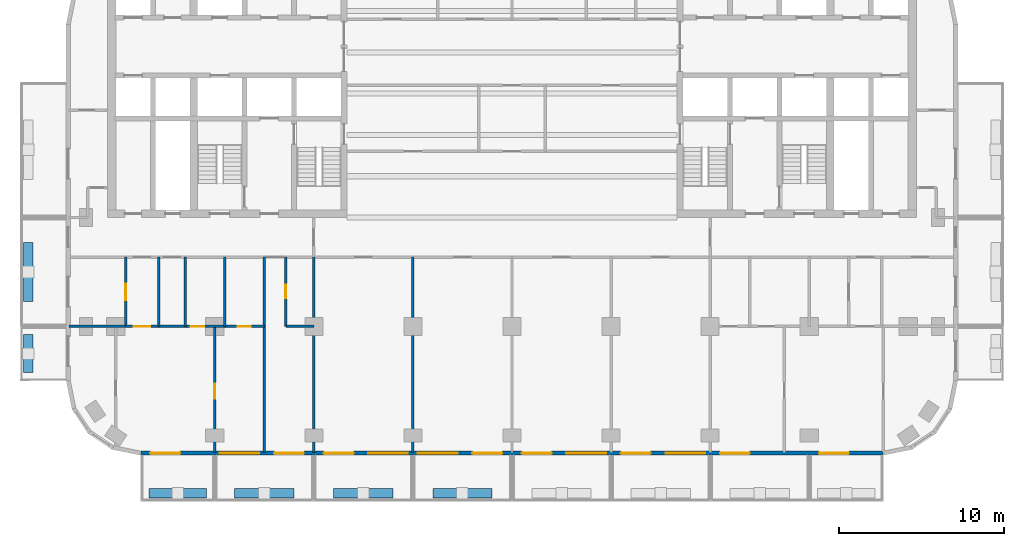
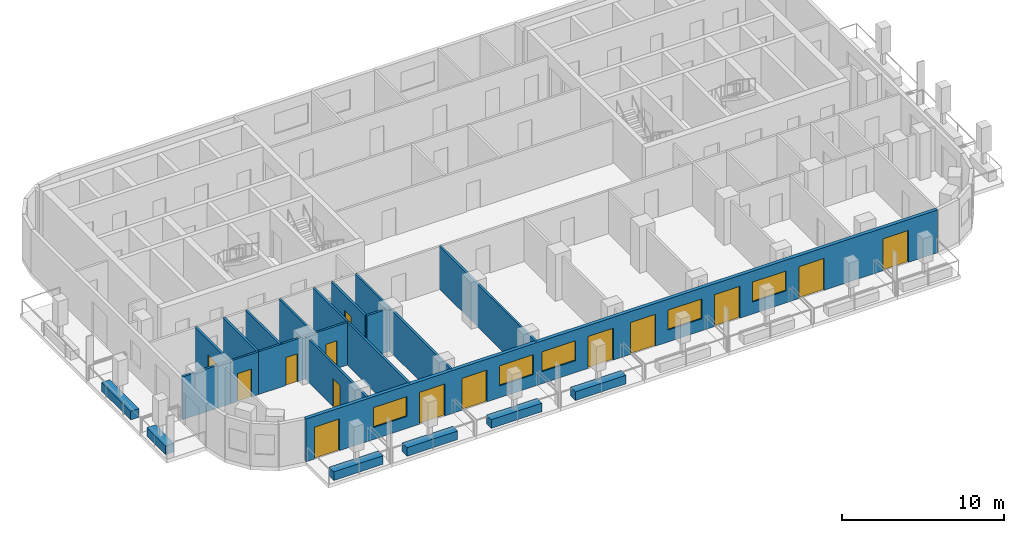
# One storey, part 2 of 11: 20 walls, 14 doors, 5 windows, 19 openings.
"""IFC4 building model written with IfcOpenShell, lengths in metres."""

import ifcopenshell
import ifcopenshell.guid

model = None  # the IFC model being written
_history = None  # IfcOwnerHistory: only IFC2X3 demands one
_inside = {}  # id of a spatial element -> (the spatial element, [elements in it])
_under = {}  # id of a project, library or spatial element -> (it, [spatial elements below it])
_declared = {}  # id of a project -> (the project, [libraries it declares])
_typed = {}  # id of a type object -> (the type object, [elements of that type])
_made_of = {}  # id of a material, layer set ... -> (it, [elements and type objects made of it])


def new_model(schema):
    """Start an empty IFC model of exactly this schema.

    Asked for "IFC4X3", IfcOpenShell would pick the latest addendum, in which some entities
    have other attributes; the version numbers below select the first issue.
    IFC2X3 requires an IfcOwnerHistory on every rooted entity: one is made here for all.
    """
    global model, _history
    if schema == "IFC4X3":
        model = ifcopenshell.file(schema_version=(4, 3, 0, 0))
    else:
        model = ifcopenshell.file(schema=schema)
    _inside.clear()
    _under.clear()
    _declared.clear()
    _typed.clear()
    _made_of.clear()
    _history = None
    if model.schema == "IFC2X3":
        org = make("IfcOrganization", Name="unknown")
        user = make(
            "IfcPersonAndOrganization",
            ThePerson=make("IfcPerson", FamilyName="unknown"),
            TheOrganization=org,
        )
        app = make(
            "IfcApplication",
            ApplicationDeveloper=org,
            Version="unknown",
            ApplicationFullName="unknown",
            ApplicationIdentifier="unknown",
        )
        _history = make(
            "IfcOwnerHistory",
            OwningUser=user,
            OwningApplication=app,
            ChangeAction="ADDED",
            CreationDate=0,
        )
    return model


def make(cls, **values):
    """One entity of the class cls with the attributes given. An attribute that is None is left unset."""
    return model.create_entity(
        cls, **{name: value for name, value in values.items() if value is not None}
    )


def rooted(cls, **values):
    """An entity with a GlobalId (a new one), such as an element, a storey or a relation."""
    return make(cls, GlobalId=ifcopenshell.guid.new(), OwnerHistory=_history, **values)


def si_unit(unit_type, name, prefix=None):
    """IfcSIUnit, for example si_unit("LENGTHUNIT", "METRE", prefix="MILLI")."""
    return make("IfcSIUnit", UnitType=unit_type, Prefix=prefix, Name=name)


def assignment(units):
    """IfcUnitAssignment: the units of a project."""
    return None if units is None else make("IfcUnitAssignment", Units=units)


def point(xyz):
    """IfcCartesianPoint."""
    return None if xyz is None else make("IfcCartesianPoint", Coordinates=xyz)


def direction(xyz):
    """IfcDirection."""
    return None if xyz is None else make("IfcDirection", DirectionRatios=xyz)


def frame(location, z_axis=None, x_axis=None):
    """IfcAxis2Placement3D, a coordinate frame: its origin and axes. An axis left out is left unset."""
    return make(
        "IfcAxis2Placement3D",
        Location=point(location),
        Axis=direction(z_axis),
        RefDirection=direction(x_axis),
    )


def frame_2d(location, x_axis=None):
    """IfcAxis2Placement2D, a coordinate frame in the plane: its origin and x axis."""
    return make(
        "IfcAxis2Placement2D", Location=point(location), RefDirection=direction(x_axis)
    )


def origin():
    """The frame at (0, 0, 0) with its axes left unset."""
    return frame((0.0, 0.0, 0.0))


def place(relative_to, where):
    """IfcLocalPlacement: puts the frame where relative to a parent placement (None: the world)."""
    return make(
        "IfcLocalPlacement", PlacementRelTo=relative_to, RelativePlacement=where
    )


def context(
    kind, dimensions, precision=None, world=None, true_north=None, identifier=None
):
    """IfcGeometricRepresentationContext, for example the 3D "Model" context."""
    return make(
        "IfcGeometricRepresentationContext",
        ContextIdentifier=identifier,
        ContextType=kind,
        CoordinateSpaceDimension=dimensions,
        Precision=precision,
        WorldCoordinateSystem=world,
        TrueNorth=true_north,
    )


def subcontext(parent, identifier, kind, view, scale=None):
    """IfcGeometricRepresentationSubContext, for example "Body" below "Model"."""
    return make(
        "IfcGeometricRepresentationSubContext",
        ContextIdentifier=identifier,
        ContextType=kind,
        ParentContext=parent,
        TargetScale=scale,
        TargetView=view,
    )


def project(units=None, contexts=None):
    """IfcProject with its units and contexts."""
    return rooted(
        "IfcProject",
        Name="project",
        RepresentationContexts=contexts,
        UnitsInContext=assignment(units),
    )


def spatial(cls, under=None, at=None, **own):
    """A site, building, storey or space (cls), placed at a placement, below another one or the project."""
    s = rooted(cls, ObjectPlacement=at, **own)
    if under is not None:
        _under.setdefault(under.id(), (under, []))[1].append(s)
    return s


def profile(cls, at=None, kind="AREA", **sizes):
    """A parametric profile (cls). Its sizes go by their IFC names, for example OverallWidth=200.0."""
    return make(cls, ProfileType=kind, Position=at, **sizes)


def rectangle(**sizes):
    """IfcRectangleProfileDef."""
    return profile("IfcRectangleProfileDef", **sizes)


def extrude(swept, where, along, depth):
    """IfcExtrudedAreaSolid: the profile swept, set in the frame where, extruded along a direction by depth."""
    return make(
        "IfcExtrudedAreaSolid",
        SweptArea=swept,
        Position=where,
        ExtrudedDirection=direction(along),
        Depth=depth,
    )


def shape(context_of_items, identifier, shape_type, items):
    """IfcShapeRepresentation: the items that make up one representation, for example the "Body"."""
    return make(
        "IfcShapeRepresentation",
        ContextOfItems=context_of_items,
        RepresentationIdentifier=identifier,
        RepresentationType=shape_type,
        Items=items,
    )


def material(Name=None, Category=None):
    """IfcMaterial."""
    return make("IfcMaterial", Name=Name, Category=Category)


def layer(
    of_material, thickness, ventilated=None, Name=None, Category=None, Priority=None
):
    """IfcMaterialLayer: one layer of a wall or slab, of a material (None: an air gap)."""
    return make(
        "IfcMaterialLayer",
        Material=of_material,
        LayerThickness=thickness,
        IsVentilated=ventilated,
        Name=Name,
        Category=Category,
        Priority=Priority,
    )


def layer_set(layers, Name=None):
    """IfcMaterialLayerSet."""
    return make("IfcMaterialLayerSet", MaterialLayers=layers, LayerSetName=Name)


def made_of(thing, what):
    """Note that an element or type object is made of a material, layer set ...; save() writes the relation."""
    if what is not None:
        _made_of.setdefault(what.id(), (what, []))[1].append(thing)
    return thing


def type_object(cls, material=None, **own):
    """A type object (cls), such as IfcWallType, which elements share."""
    return made_of(rooted(cls, **own), material)


def element(
    cls,
    number,
    at=None,
    inside=None,
    cuts=None,
    type_object=None,
    material=None,
    context=None,
    identifier="Body",
    shape_type=None,
    held_by="IfcProductDefinitionShape",
    body=None,
    shapes=None,
    **own,
):
    """One element of the class cls, such as IfcWall. Its Tag is "e" and its number.

    at: its placement. inside: the storey or other place that contains it. cuts: it is an
    opening in that element (IfcRelVoidsElement). A single representation is given by context,
    identifier, shape_type and body (its items); several are given by shapes. held_by: the class
    of the entity that holds the representations. save() writes the other relations.
    """
    e = rooted(cls, Tag="e%d" % number, ObjectPlacement=at, **own)
    if body is not None:
        shapes = [shape(context, identifier, shape_type, body)]
    if shapes is not None:
        e.Representation = make(held_by, Representations=shapes)
    if inside is not None:
        _inside.setdefault(inside.id(), (inside, []))[1].append(e)
    if cuts is not None:
        rooted(
            "IfcRelVoidsElement", RelatingBuildingElement=cuts, RelatedOpeningElement=e
        )
    if type_object is not None:
        _typed.setdefault(type_object.id(), (type_object, []))[1].append(e)
    return made_of(e, material)


def fill(opening, filler):
    """IfcRelFillsElement: the door or window that sits in an opening."""
    return rooted(
        "IfcRelFillsElement",
        RelatingOpeningElement=opening,
        RelatedBuildingElement=filler,
    )


def aggregate(whole, parts):
    """IfcRelAggregates: a whole, such as a stair, and the parts it consists of."""
    return rooted("IfcRelAggregates", RelatingObject=whole, RelatedObjects=parts)


def save(model, path):
    """Write the relations noted so far, then the file.

    IfcRelAggregates (storeys below a building ...), IfcRelContainedInSpatialStructure (elements
    in a storey), IfcRelDefinesByType, IfcRelAssociatesMaterial and IfcRelDeclares: one each for
    every whole, place, type object, material and project.
    """
    for whole, parts in _under.values():
        aggregate(whole, parts)
    for where, things in _inside.values():
        rooted(
            "IfcRelContainedInSpatialStructure",
            RelatedElements=things,
            RelatingStructure=where,
        )
    for kind, things in _typed.values():
        rooted("IfcRelDefinesByType", RelatedObjects=things, RelatingType=kind)
    for what, things in _made_of.values():
        rooted("IfcRelAssociatesMaterial", RelatedObjects=things, RelatingMaterial=what)
    for by, libraries in _declared.values():
        rooted("IfcRelDeclares", RelatingContext=by, RelatedDefinitions=libraries)
    model.write(path)


model = new_model("IFC4")

# Units and contexts
model_context = context("Model", 3, precision=1e-05, world=origin(), true_north=direction((0.0, 1.0)))
body_context = subcontext(model_context, "Body", "Model", "MODEL_VIEW")
ifc_project = project(units=[si_unit("LENGTHUNIT", "METRE"), si_unit("AREAUNIT", "SQUARE_METRE"), si_unit("VOLUMEUNIT", "CUBIC_METRE"), si_unit("PLANEANGLEUNIT", "RADIAN"), si_unit("MASSUNIT", "GRAM", prefix="KILO")], contexts=[model_context])

# Site, building, storey
site_placement = place(None, origin())
site = spatial("IfcSite", under=ifc_project, at=site_placement, CompositionType="ELEMENT")
building_placement = place(site_placement, origin())
building = spatial("IfcBuilding", under=site, at=building_placement, Name="Torana Hotel and Residences", CompositionType="ELEMENT")
storey_placement = place(building_placement, frame((0.0, 0.0, 236.10009765625)))
storey = spatial("IfcBuildingStorey", under=building, at=storey_placement, Name="L62", CompositionType="ELEMENT", Elevation=236.10009765625)

# Wall, openings, doors, windows
ifc_material_1 = material(Name="Black aluminium composite panel", Category="aluminium")
ifc_layer_1 = layer(ifc_material_1, 0.00390625, Name="Cladding", Category="cladding")
ifc_material_2 = material(Name="Ventilated air cavity")
ifc_layer_2 = layer(ifc_material_2, 0.0400390625, Name="Ventilated cavity", Category="cavity")
ifc_material_3 = material(Name="Mineral wool insulation")
ifc_layer_3 = layer(ifc_material_3, 0.090087890625, Name="Insulation", Category="insulation")
ifc_material_4 = material(Name="Steel S280GD", Category="steel")
ifc_layer_4 = layer(ifc_material_4, 0.092041015625, Name="Steel stud frame", Category="structure")
ifc_material_5 = material(Name="Fire rated plasterboard")
ifc_layer_5 = layer(ifc_material_5, 0.011962890625, Name="Inner board", Category="finish")
ifc_layer_6 = layer(ifc_material_5, 0.011962890625, Name="Second board", Category="finish")
ifc_layer_set_1 = layer_set([ifc_layer_1, ifc_layer_2, ifc_layer_3, ifc_layer_4, ifc_layer_5, ifc_layer_6], Name="EW1 EXTERNAL WALL BLACK METAL CLAD 250")
wall_type_1 = type_object("IfcWallType", Name="EW1 EXTERNAL WALL BLACK METAL CLAD 250", PredefinedType="SOLIDWALL", material=ifc_layer_set_1)
wall_1_placement = place(storey_placement, frame((-22.475341796875, -29.27490234375, 0.0), z_axis=(0.0, 0.0, 1.0), x_axis=(1.0, 0.0, 0.0)))
wall_1 = element("IfcWall", 1, at=wall_1_placement, inside=storey, type_object=wall_type_1, Name="External wall L62 e0.14", PredefinedType="SOLIDWALL", context=body_context, shape_type="SweptSolid", body=[
    extrude(rectangle(XDim=44.95068359375, YDim=0.25, at=frame_2d((22.475341796875, 0.0))), origin(), (0.0, 0.0, 1.0), 3.219970703125),
])
opening_1_placement = place(wall_1_placement, frame((0.575439453125, 0.0, 0.0)))
opening_1 = element("IfcOpeningElement", 2, at=opening_1_placement, cuts=wall_1, Name="Opening L62-E01", PredefinedType="OPENING", context=body_context, shape_type="SweptSolid", body=[
    extrude(rectangle(XDim=1.800048828125, YDim=2.39990234375, at=frame_2d((0.89990234375, 1.199951171875))), frame((0.0, 0.135009765625, 0.0), z_axis=(0.0, -1.0, 0.0), x_axis=(1.0, 0.0, 0.0)), (0.0, 0.0, 1.0), 0.27001953125),
])
opening_2_placement = place(wall_1_placement, frame((4.775390625, 0.0, 0.89990234375)))
opening_2 = element("IfcOpeningElement", 3, at=opening_2_placement, cuts=wall_1, Name="Opening W3", PredefinedType="OPENING", context=body_context, shape_type="SweptSolid", body=[
    extrude(rectangle(XDim=2.39990234375, YDim=1.5, at=frame_2d((1.199951171875, 0.75))), frame((0.0, 0.135009765625, 0.0), z_axis=(0.0, -1.0, 0.0), x_axis=(1.0, 0.0, 0.0)), (0.0, 0.0, 1.0), 0.27001953125),
])
opening_3_placement = place(wall_1_placement, frame((8.075439453125, 0.0, 0.0)))
opening_3 = element("IfcOpeningElement", 4, at=opening_3_placement, cuts=wall_1, Name="Opening L62-E02", PredefinedType="OPENING", context=body_context, shape_type="SweptSolid", body=[
    extrude(rectangle(XDim=1.800048828125, YDim=2.39990234375, at=frame_2d((0.89990234375, 1.199951171875))), frame((0.0, 0.135009765625, 0.0), z_axis=(0.0, -1.0, 0.0), x_axis=(1.0, 0.0, 0.0)), (0.0, 0.0, 1.0), 0.27001953125),
])
opening_4_placement = place(wall_1_placement, frame((11.075439453125, 0.0, 0.0)))
opening_4 = element("IfcOpeningElement", 5, at=opening_4_placement, cuts=wall_1, Name="Opening L62-E03", PredefinedType="OPENING", context=body_context, shape_type="SweptSolid", body=[
    extrude(rectangle(XDim=1.800048828125, YDim=2.39990234375, at=frame_2d((0.89990234375, 1.199951171875))), frame((0.0, 0.135009765625, 0.0), z_axis=(0.0, -1.0, 0.0), x_axis=(1.0, 0.0, 0.0)), (0.0, 0.0, 1.0), 0.27001953125),
])
opening_5_placement = place(wall_1_placement, frame((13.775390625, 0.0, 0.89990234375)))
opening_5 = element("IfcOpeningElement", 6, at=opening_5_placement, cuts=wall_1, Name="Opening W3", PredefinedType="OPENING", context=body_context, shape_type="SweptSolid", body=[
    extrude(rectangle(XDim=2.39990234375, YDim=1.5, at=frame_2d((1.199951171875, 0.75))), frame((0.0, 0.135009765625, 0.0), z_axis=(0.0, -1.0, 0.0), x_axis=(1.0, 0.0, 0.0)), (0.0, 0.0, 1.0), 0.27001953125),
])
opening_6_placement = place(wall_1_placement, frame((16.775390625, 0.0, 0.89990234375)))
opening_6 = element("IfcOpeningElement", 7, at=opening_6_placement, cuts=wall_1, Name="Opening W3", PredefinedType="OPENING", context=body_context, shape_type="SweptSolid", body=[
    extrude(rectangle(XDim=2.39990234375, YDim=1.5, at=frame_2d((1.199951171875, 0.75))), frame((0.0, 0.135009765625, 0.0), z_axis=(0.0, -1.0, 0.0), x_axis=(1.0, 0.0, 0.0)), (0.0, 0.0, 1.0), 0.27001953125),
])
opening_7_placement = place(wall_1_placement, frame((20.075439453125, 0.0, 0.0)))
opening_7 = element("IfcOpeningElement", 8, at=opening_7_placement, cuts=wall_1, Name="Opening L62-E04", PredefinedType="OPENING", context=body_context, shape_type="SweptSolid", body=[
    extrude(rectangle(XDim=1.800048828125, YDim=2.39990234375, at=frame_2d((0.89990234375, 1.199951171875))), frame((0.0, 0.135009765625, 0.0), z_axis=(0.0, -1.0, 0.0), x_axis=(1.0, 0.0, 0.0)), (0.0, 0.0, 1.0), 0.27001953125),
])
opening_8_placement = place(wall_1_placement, frame((23.075439453125, 0.0, 0.0)))
opening_8 = element("IfcOpeningElement", 9, at=opening_8_placement, cuts=wall_1, Name="Opening L62-E05", PredefinedType="OPENING", context=body_context, shape_type="SweptSolid", body=[
    extrude(rectangle(XDim=1.800048828125, YDim=2.39990234375, at=frame_2d((0.89990234375, 1.199951171875))), frame((0.0, 0.135009765625, 0.0), z_axis=(0.0, -1.0, 0.0), x_axis=(1.0, 0.0, 0.0)), (0.0, 0.0, 1.0), 0.27001953125),
])
opening_9_placement = place(wall_1_placement, frame((25.775390625, 0.0, 0.89990234375)))
opening_9 = element("IfcOpeningElement", 10, at=opening_9_placement, cuts=wall_1, Name="Opening W3", PredefinedType="OPENING", context=body_context, shape_type="SweptSolid", body=[
    extrude(rectangle(XDim=2.39990234375, YDim=1.5, at=frame_2d((1.199951171875, 0.75))), frame((0.0, 0.135009765625, 0.0), z_axis=(0.0, -1.0, 0.0), x_axis=(1.0, 0.0, 0.0)), (0.0, 0.0, 1.0), 0.27001953125),
])
opening_10_placement = place(wall_1_placement, frame((29.075439453125, 0.0, 0.0)))
opening_10 = element("IfcOpeningElement", 11, at=opening_10_placement, cuts=wall_1, Name="Opening L62-E06", PredefinedType="OPENING", context=body_context, shape_type="SweptSolid", body=[
    extrude(rectangle(XDim=1.800048828125, YDim=2.39990234375, at=frame_2d((0.89990234375, 1.199951171875))), frame((0.0, 0.135009765625, 0.0), z_axis=(0.0, -1.0, 0.0), x_axis=(1.0, 0.0, 0.0)), (0.0, 0.0, 1.0), 0.27001953125),
])
opening_11_placement = place(wall_1_placement, frame((31.775390625, 0.0, 0.89990234375)))
opening_11 = element("IfcOpeningElement", 12, at=opening_11_placement, cuts=wall_1, Name="Opening W3", PredefinedType="OPENING", context=body_context, shape_type="SweptSolid", body=[
    extrude(rectangle(XDim=2.39990234375, YDim=1.5, at=frame_2d((1.199951171875, 0.75))), frame((0.0, 0.135009765625, 0.0), z_axis=(0.0, -1.0, 0.0), x_axis=(1.0, 0.0, 0.0)), (0.0, 0.0, 1.0), 0.27001953125),
])
opening_12_placement = place(wall_1_placement, frame((35.075439453125, 0.0, 0.0)))
opening_12 = element("IfcOpeningElement", 13, at=opening_12_placement, cuts=wall_1, Name="Opening L62-E07", PredefinedType="OPENING", context=body_context, shape_type="SweptSolid", body=[
    extrude(rectangle(XDim=1.800048828125, YDim=2.39990234375, at=frame_2d((0.89990234375, 1.199951171875))), frame((0.0, 0.135009765625, 0.0), z_axis=(0.0, -1.0, 0.0), x_axis=(1.0, 0.0, 0.0)), (0.0, 0.0, 1.0), 0.27001953125),
])
opening_13_placement = place(wall_1_placement, frame((41.075439453125, 0.0, 0.0)))
opening_13 = element("IfcOpeningElement", 14, at=opening_13_placement, cuts=wall_1, Name="Opening L62-E08", PredefinedType="OPENING", context=body_context, shape_type="SweptSolid", body=[
    extrude(rectangle(XDim=1.800048828125, YDim=2.39990234375, at=frame_2d((0.89990234375, 1.199951171875))), frame((0.0, 0.135009765625, 0.0), z_axis=(0.0, -1.0, 0.0), x_axis=(1.0, 0.0, 0.0)), (0.0, 0.0, 1.0), 0.27001953125),
])
ifc_material_6 = material(Name="Dark glass in black aluminium frame", Category="aluminium")
door_type_1 = type_object("IfcDoorType", Name="DB1 BALCONY DOOR 1800x2400", OperationType="DOUBLE_DOOR_SINGLE_SWING", PredefinedType="DOOR", material=ifc_material_6)
door_1_placement = place(opening_1_placement, origin())
door_1 = element("IfcDoor", 15, at=door_1_placement, inside=storey, type_object=door_type_1, Name="Balcony door L62", OperationType="DOUBLE_DOOR_SINGLE_SWING", OverallHeight=2.39990234375, OverallWidth=1.800048828125, PredefinedType="DOOR", context=body_context, shape_type="SweptSolid", body=[
    extrude(rectangle(XDim=1.800048828125, YDim=2.39990234375, at=frame_2d((0.89990234375, 1.199951171875))), frame((0.0, 0.02490234375, 0.0), z_axis=(0.0, -1.0, 0.0), x_axis=(1.0, 0.0, 0.0)), (0.0, 0.0, 1.0), 0.050048828125),
])
fill(opening_1, door_1)
door_2_placement = place(opening_3_placement, origin())
door_2 = element("IfcDoor", 16, at=door_2_placement, inside=storey, type_object=door_type_1, Name="Balcony door L62", OperationType="DOUBLE_DOOR_SINGLE_SWING", OverallHeight=2.39990234375, OverallWidth=1.800048828125, PredefinedType="DOOR", context=body_context, shape_type="SweptSolid", body=[
    extrude(rectangle(XDim=1.800048828125, YDim=2.39990234375, at=frame_2d((0.89990234375, 1.199951171875))), frame((0.0, 0.02490234375, 0.0), z_axis=(0.0, -1.0, 0.0), x_axis=(1.0, 0.0, 0.0)), (0.0, 0.0, 1.0), 0.050048828125),
])
fill(opening_3, door_2)
door_3_placement = place(opening_4_placement, origin())
door_3 = element("IfcDoor", 17, at=door_3_placement, inside=storey, type_object=door_type_1, Name="Balcony door L62", OperationType="DOUBLE_DOOR_SINGLE_SWING", OverallHeight=2.39990234375, OverallWidth=1.800048828125, PredefinedType="DOOR", context=body_context, shape_type="SweptSolid", body=[
    extrude(rectangle(XDim=1.800048828125, YDim=2.39990234375, at=frame_2d((0.89990234375, 1.199951171875))), frame((0.0, 0.02490234375, 0.0), z_axis=(0.0, -1.0, 0.0), x_axis=(1.0, 0.0, 0.0)), (0.0, 0.0, 1.0), 0.050048828125),
])
fill(opening_4, door_3)
door_4_placement = place(opening_7_placement, origin())
door_4 = element("IfcDoor", 18, at=door_4_placement, inside=storey, type_object=door_type_1, Name="Balcony door L62", OperationType="DOUBLE_DOOR_SINGLE_SWING", OverallHeight=2.39990234375, OverallWidth=1.800048828125, PredefinedType="DOOR", context=body_context, shape_type="SweptSolid", body=[
    extrude(rectangle(XDim=1.800048828125, YDim=2.39990234375, at=frame_2d((0.89990234375, 1.199951171875))), frame((0.0, 0.02490234375, 0.0), z_axis=(0.0, -1.0, 0.0), x_axis=(1.0, 0.0, 0.0)), (0.0, 0.0, 1.0), 0.050048828125),
])
fill(opening_7, door_4)
door_5_placement = place(opening_8_placement, origin())
door_5 = element("IfcDoor", 19, at=door_5_placement, inside=storey, type_object=door_type_1, Name="Balcony door L62", OperationType="DOUBLE_DOOR_SINGLE_SWING", OverallHeight=2.39990234375, OverallWidth=1.800048828125, PredefinedType="DOOR", context=body_context, shape_type="SweptSolid", body=[
    extrude(rectangle(XDim=1.800048828125, YDim=2.39990234375, at=frame_2d((0.89990234375, 1.199951171875))), frame((0.0, 0.02490234375, 0.0), z_axis=(0.0, -1.0, 0.0), x_axis=(1.0, 0.0, 0.0)), (0.0, 0.0, 1.0), 0.050048828125),
])
fill(opening_8, door_5)
door_6_placement = place(opening_10_placement, origin())
door_6 = element("IfcDoor", 20, at=door_6_placement, inside=storey, type_object=door_type_1, Name="Balcony door L62", OperationType="DOUBLE_DOOR_SINGLE_SWING", OverallHeight=2.39990234375, OverallWidth=1.800048828125, PredefinedType="DOOR", context=body_context, shape_type="SweptSolid", body=[
    extrude(rectangle(XDim=1.800048828125, YDim=2.39990234375, at=frame_2d((0.89990234375, 1.199951171875))), frame((0.0, 0.02490234375, 0.0), z_axis=(0.0, -1.0, 0.0), x_axis=(1.0, 0.0, 0.0)), (0.0, 0.0, 1.0), 0.050048828125),
])
fill(opening_10, door_6)
door_7_placement = place(opening_12_placement, origin())
door_7 = element("IfcDoor", 21, at=door_7_placement, inside=storey, type_object=door_type_1, Name="Balcony door L62", OperationType="DOUBLE_DOOR_SINGLE_SWING", OverallHeight=2.39990234375, OverallWidth=1.800048828125, PredefinedType="DOOR", context=body_context, shape_type="SweptSolid", body=[
    extrude(rectangle(XDim=1.800048828125, YDim=2.39990234375, at=frame_2d((0.89990234375, 1.199951171875))), frame((0.0, 0.02490234375, 0.0), z_axis=(0.0, -1.0, 0.0), x_axis=(1.0, 0.0, 0.0)), (0.0, 0.0, 1.0), 0.050048828125),
])
fill(opening_12, door_7)
door_8_placement = place(opening_13_placement, origin())
door_8 = element("IfcDoor", 22, at=door_8_placement, inside=storey, type_object=door_type_1, Name="Balcony door L62", OperationType="DOUBLE_DOOR_SINGLE_SWING", OverallHeight=2.39990234375, OverallWidth=1.800048828125, PredefinedType="DOOR", context=body_context, shape_type="SweptSolid", body=[
    extrude(rectangle(XDim=1.800048828125, YDim=2.39990234375, at=frame_2d((0.89990234375, 1.199951171875))), frame((0.0, 0.02490234375, 0.0), z_axis=(0.0, -1.0, 0.0), x_axis=(1.0, 0.0, 0.0)), (0.0, 0.0, 1.0), 0.050048828125),
])
fill(opening_13, door_8)
ifc_material_7 = material(Name="Dark glass in black aluminium frame", Category="aluminium")
window_type = type_object("IfcWindowType", Name="W3 RESIDENCE WINDOW 2400x1500", PartitioningType="SINGLE_PANEL", PredefinedType="WINDOW", material=ifc_material_7)
window_1_placement = place(opening_2_placement, origin())
window_1 = element("IfcWindow", 23, at=window_1_placement, inside=storey, type_object=window_type, Name="Window L62", OverallHeight=1.5, OverallWidth=2.39990234375, PartitioningType="SINGLE_PANEL", PredefinedType="WINDOW", context=body_context, shape_type="SweptSolid", body=[
    extrude(rectangle(XDim=2.39990234375, YDim=1.5, at=frame_2d((1.199951171875, 0.75))), frame((0.0, 0.030029296875, 0.0), z_axis=(0.0, -1.0, 0.0), x_axis=(1.0, 0.0, 0.0)), (0.0, 0.0, 1.0), 0.06005859375),
])
fill(opening_2, window_1)
window_2_placement = place(opening_5_placement, origin())
window_2 = element("IfcWindow", 24, at=window_2_placement, inside=storey, type_object=window_type, Name="Window L62", OverallHeight=1.5, OverallWidth=2.39990234375, PartitioningType="SINGLE_PANEL", PredefinedType="WINDOW", context=body_context, shape_type="SweptSolid", body=[
    extrude(rectangle(XDim=2.39990234375, YDim=1.5, at=frame_2d((1.199951171875, 0.75))), frame((0.0, 0.030029296875, 0.0), z_axis=(0.0, -1.0, 0.0), x_axis=(1.0, 0.0, 0.0)), (0.0, 0.0, 1.0), 0.06005859375),
])
fill(opening_5, window_2)
window_3_placement = place(opening_6_placement, origin())
window_3 = element("IfcWindow", 25, at=window_3_placement, inside=storey, type_object=window_type, Name="Window L62", OverallHeight=1.5, OverallWidth=2.39990234375, PartitioningType="SINGLE_PANEL", PredefinedType="WINDOW", context=body_context, shape_type="SweptSolid", body=[
    extrude(rectangle(XDim=2.39990234375, YDim=1.5, at=frame_2d((1.199951171875, 0.75))), frame((0.0, 0.030029296875, 0.0), z_axis=(0.0, -1.0, 0.0), x_axis=(1.0, 0.0, 0.0)), (0.0, 0.0, 1.0), 0.06005859375),
])
fill(opening_6, window_3)
window_4_placement = place(opening_9_placement, origin())
window_4 = element("IfcWindow", 26, at=window_4_placement, inside=storey, type_object=window_type, Name="Window L62", OverallHeight=1.5, OverallWidth=2.39990234375, PartitioningType="SINGLE_PANEL", PredefinedType="WINDOW", context=body_context, shape_type="SweptSolid", body=[
    extrude(rectangle(XDim=2.39990234375, YDim=1.5, at=frame_2d((1.199951171875, 0.75))), frame((0.0, 0.030029296875, 0.0), z_axis=(0.0, -1.0, 0.0), x_axis=(1.0, 0.0, 0.0)), (0.0, 0.0, 1.0), 0.06005859375),
])
fill(opening_9, window_4)
window_5_placement = place(opening_11_placement, origin())
window_5 = element("IfcWindow", 27, at=window_5_placement, inside=storey, type_object=window_type, Name="Window L62", OverallHeight=1.5, OverallWidth=2.39990234375, PartitioningType="SINGLE_PANEL", PredefinedType="WINDOW", context=body_context, shape_type="SweptSolid", body=[
    extrude(rectangle(XDim=2.39990234375, YDim=1.5, at=frame_2d((1.199951171875, 0.75))), frame((0.0, 0.030029296875, 0.0), z_axis=(0.0, -1.0, 0.0), x_axis=(1.0, 0.0, 0.0)), (0.0, 0.0, 1.0), 0.06005859375),
])
fill(opening_11, window_5)

# Wall
ifc_material_8 = material(Name="Gypsum plaster")
ifc_layer_7 = layer(ifc_material_8, 0.014892578125, Name="Plaster", Category="finish")
ifc_material_9 = material(Name="Concrete blockwork", Category="masonry")
ifc_layer_8 = layer(ifc_material_9, 0.1201171875, Name="Blockwork", Category="structure")
ifc_layer_9 = layer(ifc_material_8, 0.014892578125, Name="Plaster", Category="finish")
ifc_layer_set_2 = layer_set([ifc_layer_7, ifc_layer_8, ifc_layer_9], Name="FIRE PARTITION 150 BLOCKWORK")
wall_type_2 = type_object("IfcWallType", Name="FIRE PARTITION 150 BLOCKWORK", PredefinedType="PARTITIONING", material=ifc_layer_set_2)
wall_2_placement = place(storey_placement, frame((-21.39990234375, -21.60009765625, 0.0), z_axis=(0.0, 0.0, 1.0), x_axis=(0.0, 1.0, 0.0)))
element("IfcWall", 28, at=wall_2_placement, inside=storey, type_object=wall_type_2, Name="Partition L62", PredefinedType="PARTITIONING", context=body_context, shape_type="SweptSolid", body=[
    extrude(rectangle(XDim=4.2001953125, YDim=0.14990234375, at=frame_2d((2.10009765625, 0.0))), origin(), (0.0, 0.0, 1.0), 3.219970703125),
])

# Wall, opening, door
wall_3_placement = place(storey_placement, frame((-23.39990234375, -21.60009765625, 0.0), z_axis=(0.0, 0.0, 1.0), x_axis=(0.0, 1.0, 0.0)))
wall_3 = element("IfcWall", 29, at=wall_3_placement, inside=storey, type_object=wall_type_2, Name="Partition L62", PredefinedType="PARTITIONING", context=body_context, shape_type="SweptSolid", body=[
    extrude(rectangle(XDim=4.2001953125, YDim=0.14990234375, at=frame_2d((2.10009765625, 0.0))), origin(), (0.0, 0.0, 1.0), 3.219970703125),
])
opening_14_placement = place(wall_3_placement, frame((1.580078125, 0.0, 0.0)))
opening_14 = element("IfcOpeningElement", 30, at=opening_14_placement, cuts=wall_3, Name="Opening L62-52", PredefinedType="OPENING", context=body_context, shape_type="SweptSolid", body=[
    extrude(rectangle(XDim=1.0, YDim=2.10009765625, at=frame_2d((0.5, 1.050048828125))), frame((0.0, 0.0849609375, 0.0), z_axis=(0.0, -1.0, 0.0), x_axis=(1.0, 0.0, 0.0)), (0.0, 0.0, 1.0), 0.169921875),
])
ifc_material_10 = material(Name="Steel S235", Category="steel")
door_type_2 = type_object("IfcDoorType", Name="ENTRY FIRE DOOR D6 1000x2100", OperationType="SINGLE_SWING_LEFT", PredefinedType="DOOR", material=ifc_material_10)
door_9_placement = place(opening_14_placement, origin())
door_9 = element("IfcDoor", 31, at=door_9_placement, inside=storey, type_object=door_type_2, Name="Door L62", OperationType="SINGLE_SWING_RIGHT", OverallHeight=2.10009765625, OverallWidth=1.0, PredefinedType="DOOR", context=body_context, shape_type="SweptSolid", body=[
    extrude(rectangle(XDim=1.0, YDim=2.10009765625, at=frame_2d((0.5, 1.050048828125))), frame((0.0, 0.02490234375, 0.0), z_axis=(0.0, -1.0, 0.0), x_axis=(1.0, 0.0, 0.0)), (0.0, 0.0, 1.0), 0.050048828125),
])
fill(opening_14, door_9)

wall_4_placement = place(storey_placement, frame((-23.39990234375, -21.60009765625, 0.0), z_axis=(0.0, 0.0, 1.0), x_axis=(1.0, 0.0, 0.0)))
wall_4 = element("IfcWall", 32, at=wall_4_placement, inside=storey, type_object=wall_type_2, Name="Partition L62", PredefinedType="PARTITIONING", context=body_context, shape_type="SweptSolid", body=[
    extrude(rectangle(XDim=2.0, YDim=0.14990234375, at=frame_2d((1.0, 0.0))), origin(), (0.0, 0.0, 1.0), 3.219970703125),
])
opening_15_placement = place(wall_4_placement, frame((0.47998046875, 0.0, 0.0)))
opening_15 = element("IfcOpeningElement", 33, at=opening_15_placement, cuts=wall_4, Name="Opening L62-53", PredefinedType="OPENING", context=body_context, shape_type="SweptSolid", body=[
    extrude(rectangle(XDim=1.0, YDim=2.10009765625, at=frame_2d((0.5, 1.050048828125))), frame((0.0, 0.0849609375, 0.0), z_axis=(0.0, -1.0, 0.0), x_axis=(1.0, 0.0, 0.0)), (0.0, 0.0, 1.0), 0.169921875),
])
door_10_placement = place(opening_15_placement, frame((0.5, 0.0, 0.0), z_axis=(0.0, 0.0, 1.0), x_axis=(-1.0, 0.0, 0.0)))
door_10 = element("IfcDoor", 34, at=door_10_placement, inside=storey, type_object=door_type_2, Name="Door L62", OperationType="SINGLE_SWING_LEFT", OverallHeight=2.10009765625, OverallWidth=1.0, PredefinedType="DOOR", context=body_context, shape_type="SweptSolid", body=[
    extrude(rectangle(XDim=1.0, YDim=2.10009765625, at=frame_2d((0.0, 1.050048828125))), frame((0.0, -0.02490234375, 0.0), z_axis=(0.0, 1.0, 0.0), x_axis=(-1.0, 0.0, 0.0)), (0.0, 0.0, 1.0), 0.050048828125),
])
fill(opening_15, door_10)

# Walls
ifc_material_11 = material(Name="Gypsum plasterboard")
ifc_layer_10 = layer(ifc_material_11, 0.012451171875, Name="Plasterboard", Category="finish")
ifc_layer_11 = layer(ifc_material_11, 0.012451171875, Name="Plasterboard", Category="finish")
ifc_layer_12 = layer(ifc_material_4, 0.10009765625, Name="Steel studs with mineral wool", Category="insulation")
ifc_layer_13 = layer(ifc_material_11, 0.012451171875, Name="Plasterboard", Category="finish")
ifc_layer_14 = layer(ifc_material_11, 0.012451171875, Name="Plasterboard", Category="finish")
ifc_layer_set_3 = layer_set([ifc_layer_10, ifc_layer_11, ifc_layer_12, ifc_layer_13, ifc_layer_14], Name="PARTITION 150 PLASTERBOARD")
wall_type_3 = type_object("IfcWallType", Name="PARTITION 150 PLASTERBOARD", PredefinedType="PARTITIONING", material=ifc_layer_set_3)
for number, where, z_axis, x_axis, name in (
    (35, (-6.0, -29.219970703125, 0.0), (0.0, 0.0, 1.0), (0.0, 1.0, 0.0), "Partition L62"),
    (36, (-12.0, -29.219970703125, 0.0), (0.0, 0.0, 1.0), (0.0, 1.0, 0.0), "Partition L62"),
):
    element("IfcWall", number, at=place(storey_placement, frame(where, z_axis=z_axis, x_axis=x_axis)), inside=storey, type_object=wall_type_3, Name=name, PredefinedType="PARTITIONING", context=body_context, shape_type="SweptSolid", body=[
        extrude(rectangle(XDim=11.820068359375, YDim=0.14990234375, at=frame_2d((5.91015625, 0.0))), origin(), (0.0, 0.0, 1.0), 3.219970703125),
    ])

# Wall, opening, door
wall_5_placement = place(storey_placement, frame((-13.699951171875, -21.60009765625, 0.0), z_axis=(0.0, 0.0, 1.0), x_axis=(0.0, 1.0, 0.0)))
wall_5 = element("IfcWall", 37, at=wall_5_placement, inside=storey, type_object=wall_type_3, Name="Partition L62", PredefinedType="PARTITIONING", context=body_context, shape_type="SweptSolid", body=[
    extrude(rectangle(XDim=4.2001953125, YDim=0.14990234375, at=frame_2d((2.10009765625, 0.0))), origin(), (0.0, 0.0, 1.0), 3.219970703125),
])
opening_16_placement = place(wall_5_placement, frame((1.719970703125, 0.0, 0.0)))
opening_16 = element("IfcOpeningElement", 38, at=opening_16_placement, cuts=wall_5, Name="Opening L62-49", PredefinedType="OPENING", context=body_context, shape_type="SweptSolid", body=[
    extrude(rectangle(XDim=0.800048828125, YDim=2.10009765625, at=frame_2d((0.39990234375, 1.050048828125))), frame((0.0, 0.0849609375, 0.0), z_axis=(0.0, -1.0, 0.0), x_axis=(1.0, 0.0, 0.0)), (0.0, 0.0, 1.0), 0.169921875),
])
ifc_material_12 = material(Name="Timber door, painted", Category="wood")
door_type_3 = type_object("IfcDoorType", Name="BATH DOOR D13 800x2100", OperationType="SINGLE_SWING_LEFT", PredefinedType="DOOR", material=ifc_material_12)
door_11_placement = place(opening_16_placement, origin())
door_11 = element("IfcDoor", 39, at=door_11_placement, inside=storey, type_object=door_type_3, Name="Door L62", OperationType="SINGLE_SWING_RIGHT", OverallHeight=2.10009765625, OverallWidth=0.800048828125, PredefinedType="DOOR", context=body_context, shape_type="SweptSolid", body=[
    extrude(rectangle(XDim=0.800048828125, YDim=2.10009765625, at=frame_2d((0.39990234375, 1.050048828125))), frame((0.0, 0.02490234375, 0.0), z_axis=(0.0, -1.0, 0.0), x_axis=(1.0, 0.0, 0.0)), (0.0, 0.0, 1.0), 0.050048828125),
])
fill(opening_16, door_11)

# Walls
wall_6_placement = place(storey_placement, frame((-15.0, -29.219970703125, 0.0), z_axis=(0.0, 0.0, 1.0), x_axis=(0.0, 1.0, 0.0)))
element("IfcWall", 40, at=wall_6_placement, inside=storey, type_object=wall_type_3, Name="Partition L62", PredefinedType="PARTITIONING", context=body_context, shape_type="SweptSolid", body=[
    extrude(rectangle(XDim=11.820068359375, YDim=0.14990234375, at=frame_2d((5.91015625, 0.0))), origin(), (0.0, 0.0, 1.0), 3.219970703125),
])
wall_7_placement = place(storey_placement, frame((-17.39990234375, -21.60009765625, 0.0), z_axis=(0.0, 0.0, 1.0), x_axis=(0.0, 1.0, 0.0)))
element("IfcWall", 41, at=wall_7_placement, inside=storey, type_object=wall_type_3, Name="Partition L62", PredefinedType="PARTITIONING", context=body_context, shape_type="SweptSolid", body=[
    extrude(rectangle(XDim=4.2001953125, YDim=0.14990234375, at=frame_2d((2.10009765625, 0.0))), origin(), (0.0, 0.0, 1.0), 3.219970703125),
])

# Wall, opening, door
wall_8_placement = place(storey_placement, frame((-18.0, -29.219970703125, 0.0), z_axis=(0.0, 0.0, 1.0), x_axis=(0.0, 1.0, 0.0)))
wall_8 = element("IfcWall", 42, at=wall_8_placement, inside=storey, type_object=wall_type_3, Name="Partition L62", PredefinedType="PARTITIONING", context=body_context, shape_type="SweptSolid", body=[
    extrude(rectangle(XDim=7.619873046875, YDim=0.14990234375, at=frame_2d((3.81005859375, 0.0))), origin(), (0.0, 0.0, 1.0), 3.219970703125),
])
opening_17_placement = place(wall_8_placement, frame((3.25, 0.0, 0.0)))
opening_17 = element("IfcOpeningElement", 43, at=opening_17_placement, cuts=wall_8, Name="Opening L62-54", PredefinedType="OPENING", context=body_context, shape_type="SweptSolid", body=[
    extrude(rectangle(XDim=0.89990234375, YDim=2.10009765625, at=frame_2d((0.449951171875, 1.050048828125))), frame((0.0, 0.0849609375, 0.0), z_axis=(0.0, -1.0, 0.0), x_axis=(1.0, 0.0, 0.0)), (0.0, 0.0, 1.0), 0.169921875),
])
ifc_material_13 = material(Name="Timber door, oiled ash", Category="wood")
door_type_4 = type_object("IfcDoorType", Name="ROOM DOOR D7 900x2100", OperationType="SINGLE_SWING_LEFT", PredefinedType="DOOR", material=ifc_material_13)
door_12_placement = place(opening_17_placement, origin())
door_12 = element("IfcDoor", 44, at=door_12_placement, inside=storey, type_object=door_type_4, Name="Door L62", OperationType="SINGLE_SWING_RIGHT", OverallHeight=2.10009765625, OverallWidth=0.89990234375, PredefinedType="DOOR", context=body_context, shape_type="SweptSolid", body=[
    extrude(rectangle(XDim=0.89990234375, YDim=2.10009765625, at=frame_2d((0.449951171875, 1.050048828125))), frame((0.0, 0.02490234375, 0.0), z_axis=(0.0, -1.0, 0.0), x_axis=(1.0, 0.0, 0.0)), (0.0, 0.0, 1.0), 0.050048828125),
])
fill(opening_17, door_12)

# Walls
wall_9_placement = place(storey_placement, frame((-19.800048828125, -21.60009765625, 0.0), z_axis=(0.0, 0.0, 1.0), x_axis=(0.0, 1.0, 0.0)))
element("IfcWall", 45, at=wall_9_placement, inside=storey, type_object=wall_type_3, Name="Partition L62", PredefinedType="PARTITIONING", context=body_context, shape_type="SweptSolid", body=[
    extrude(rectangle(XDim=4.2001953125, YDim=0.14990234375, at=frame_2d((2.10009765625, 0.0))), origin(), (0.0, 0.0, 1.0), 3.219970703125),
])
wall_10_placement = place(storey_placement, frame((-26.820068359375, -21.60009765625, 0.0), z_axis=(0.0, 0.0, 1.0), x_axis=(1.0, 0.0, 0.0)))
element("IfcWall", 46, at=wall_10_placement, inside=storey, type_object=wall_type_3, Name="Partition L62", PredefinedType="PARTITIONING", context=body_context, shape_type="SweptSolid", body=[
    extrude(rectangle(XDim=3.420166015625, YDim=0.14990234375, at=frame_2d((1.7099609375, 0.0))), origin(), (0.0, 0.0, 1.0), 3.219970703125),
])

# Wall, openings, doors
wall_11_placement = place(storey_placement, frame((-21.39990234375, -21.60009765625, 0.0), z_axis=(0.0, 0.0, 1.0), x_axis=(1.0, 0.0, 0.0)))
wall_11 = element("IfcWall", 47, at=wall_11_placement, inside=storey, type_object=wall_type_3, Name="Partition L62", PredefinedType="PARTITIONING", context=body_context, shape_type="SweptSolid", body=[
    extrude(rectangle(XDim=6.39990234375, YDim=0.14990234375, at=frame_2d((3.199951171875, 0.0))), origin(), (0.0, 0.0, 1.0), 3.219970703125),
])
opening_18_placement = place(wall_11_placement, frame((4.780029296875, 0.0, 0.0)))
opening_18 = element("IfcOpeningElement", 48, at=opening_18_placement, cuts=wall_11, Name="Opening L62-50", PredefinedType="OPENING", context=body_context, shape_type="SweptSolid", body=[
    extrude(rectangle(XDim=0.800048828125, YDim=2.10009765625, at=frame_2d((0.39990234375, 1.050048828125))), frame((0.0, 0.0849609375, 0.0), z_axis=(0.0, -1.0, 0.0), x_axis=(1.0, 0.0, 0.0)), (0.0, 0.0, 1.0), 0.169921875),
])
opening_19_placement = place(wall_11_placement, frame((1.949951171875, 0.0, 0.0)))
opening_19 = element("IfcOpeningElement", 49, at=opening_19_placement, cuts=wall_11, Name="Opening L62-51", PredefinedType="OPENING", context=body_context, shape_type="SweptSolid", body=[
    extrude(rectangle(XDim=0.800048828125, YDim=2.10009765625, at=frame_2d((0.39990234375, 1.050048828125))), frame((0.0, 0.0849609375, 0.0), z_axis=(0.0, -1.0, 0.0), x_axis=(1.0, 0.0, 0.0)), (0.0, 0.0, 1.0), 0.169921875),
])
door_13_placement = place(opening_18_placement, origin())
door_13 = element("IfcDoor", 50, at=door_13_placement, inside=storey, type_object=door_type_3, Name="Door L62", OperationType="SINGLE_SWING_RIGHT", OverallHeight=2.10009765625, OverallWidth=0.800048828125, PredefinedType="DOOR", context=body_context, shape_type="SweptSolid", body=[
    extrude(rectangle(XDim=0.800048828125, YDim=2.10009765625, at=frame_2d((0.39990234375, 1.050048828125))), frame((0.0, 0.02490234375, 0.0), z_axis=(0.0, -1.0, 0.0), x_axis=(1.0, 0.0, 0.0)), (0.0, 0.0, 1.0), 0.050048828125),
])
fill(opening_18, door_13)
door_14_placement = place(opening_19_placement, origin())
door_14 = element("IfcDoor", 51, at=door_14_placement, inside=storey, type_object=door_type_3, Name="Door L62", OperationType="SINGLE_SWING_LEFT", OverallHeight=2.10009765625, OverallWidth=0.800048828125, PredefinedType="DOOR", context=body_context, shape_type="SweptSolid", body=[
    extrude(rectangle(XDim=0.800048828125, YDim=2.10009765625, at=frame_2d((0.39990234375, 1.050048828125))), frame((0.0, 0.02490234375, 0.0), z_axis=(0.0, -1.0, 0.0), x_axis=(1.0, 0.0, 0.0)), (0.0, 0.0, 1.0), 0.050048828125),
])
fill(opening_19, door_14)

# Walls
wall_12_placement = place(storey_placement, frame((-13.699951171875, -21.60009765625, 0.0), z_axis=(0.0, 0.0, 1.0), x_axis=(1.0, 0.0, 0.0)))
element("IfcWall", 52, at=wall_12_placement, inside=storey, type_object=wall_type_3, Name="Partition L62", PredefinedType="PARTITIONING", context=body_context, shape_type="SweptSolid", body=[
    extrude(rectangle(XDim=1.699951171875, YDim=0.14990234375, at=frame_2d((0.85009765625, 0.0))), origin(), (0.0, 0.0, 1.0), 3.219970703125),
])
ifc_material_14 = material(Name="Concrete C40/50 precast", Category="concrete")
ifc_layer_15 = layer(ifc_material_14, 0.10009765625, Name="Planter shell", Category="structure")
ifc_material_15 = material(Name="Root resistant membrane")
ifc_layer_16 = layer(ifc_material_15, 0.00390625, Name="Waterproofing membrane", Category="membrane")
ifc_material_16 = material(Name="Drainage board with filter fleece")
ifc_layer_17 = layer(ifc_material_16, 0.02001953125, Name="Drainage board", Category="drainage")
ifc_material_17 = material(Name="Growing medium")
ifc_layer_18 = layer(ifc_material_17, 0.47607421875, Name="Planting substrate", Category="soil")
ifc_layer_set_4 = layer_set([ifc_layer_15, ifc_layer_16, ifc_layer_17, ifc_layer_18], Name="PL1 BALCONY PLANTER 600")
wall_type_4 = type_object("IfcWallType", Name="PL1 BALCONY PLANTER 600", PredefinedType="USERDEFINED", material=ifc_layer_set_4)
wall_13_placement = place(storey_placement, frame((-18.5, -31.699951171875, 0.0), z_axis=(0.0, 0.0, 1.0), x_axis=(-1.0, 0.0, 0.0)))
element("IfcWall", 53, at=wall_13_placement, inside=storey, type_object=wall_type_4, Name="Planter 01", ObjectType="PLANTER", PredefinedType="USERDEFINED", context=body_context, shape_type="SweptSolid", body=[
    extrude(rectangle(XDim=3.5, YDim=0.60009765625, at=frame_2d((1.75, 0.0))), origin(), (0.0, 0.0, 1.0), 0.64990234375),
])
for number, where, z_axis, x_axis, name in (
    (54, (-13.199951171875, -31.699951171875, 0.0), (0.0, 0.0, 1.0), (-1.0, 0.0, 0.0), "Planter 02"),
    (55, (-7.199951171875, -31.699951171875, 0.0), (0.0, 0.0, 1.0), (-1.0, 0.0, 0.0), "Planter 03"),
    (56, (-1.199951171875, -31.699951171875, 0.0), (0.0, 0.0, 1.0), (-1.0, 0.0, 0.0), "Planter 04"),
):
    element("IfcWall", number, at=place(storey_placement, frame(where, z_axis=z_axis, x_axis=x_axis)), inside=storey, type_object=wall_type_4, Name=name, ObjectType="PLANTER", PredefinedType="USERDEFINED", context=body_context, shape_type="SweptSolid", body=[
        extrude(rectangle(XDim=3.60009765625, YDim=0.60009765625, at=frame_2d((1.800048828125, 0.0))), origin(), (0.0, 0.0, 1.0), 0.64990234375),
    ])
wall_14_placement = place(storey_placement, frame((-29.300048828125, -24.39990234375, 0.0), z_axis=(0.0, 0.0, 1.0), x_axis=(0.0, 1.0, 0.0)))
element("IfcWall", 57, at=wall_14_placement, inside=storey, type_object=wall_type_4, Name="Planter 09", ObjectType="PLANTER", PredefinedType="USERDEFINED", context=body_context, shape_type="SweptSolid", body=[
    extrude(rectangle(XDim=2.2998046875, YDim=0.60009765625, at=frame_2d((1.14990234375, 0.0))), origin(), (0.0, 0.0, 1.0), 0.64990234375),
])
wall_15_placement = place(storey_placement, frame((-29.300048828125, -20.10009765625, 0.0), z_axis=(0.0, 0.0, 1.0), x_axis=(0.0, 1.0, 0.0)))
element("IfcWall", 58, at=wall_15_placement, inside=storey, type_object=wall_type_4, Name="Planter 10", ObjectType="PLANTER", PredefinedType="USERDEFINED", context=body_context, shape_type="SweptSolid", body=[
    extrude(rectangle(XDim=3.60009765625, YDim=0.60009765625, at=frame_2d((1.800048828125, 0.0))), origin(), (0.0, 0.0, 1.0), 0.64990234375),
])

save(model, "model.ifc")
